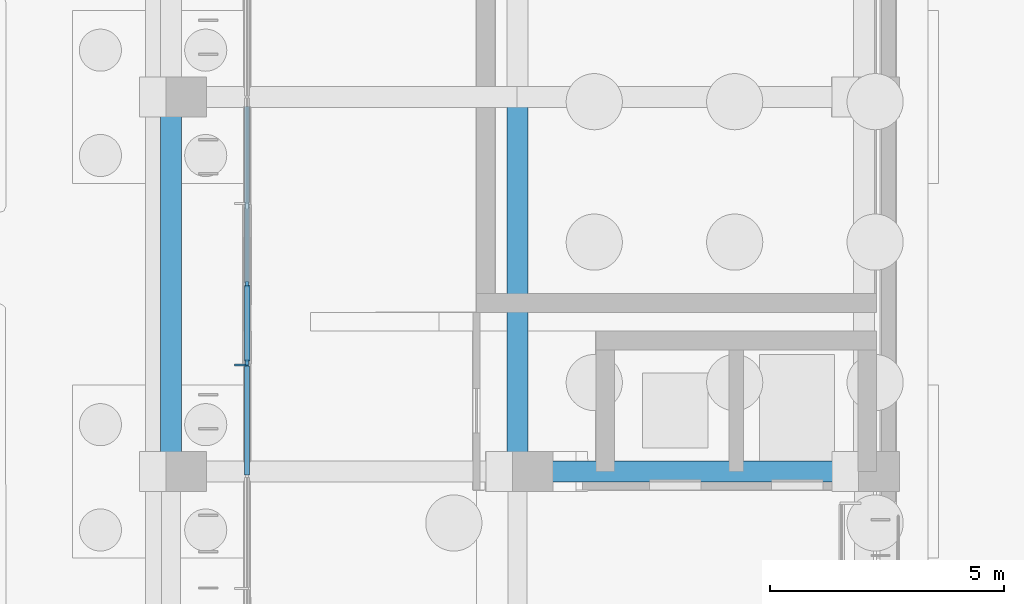
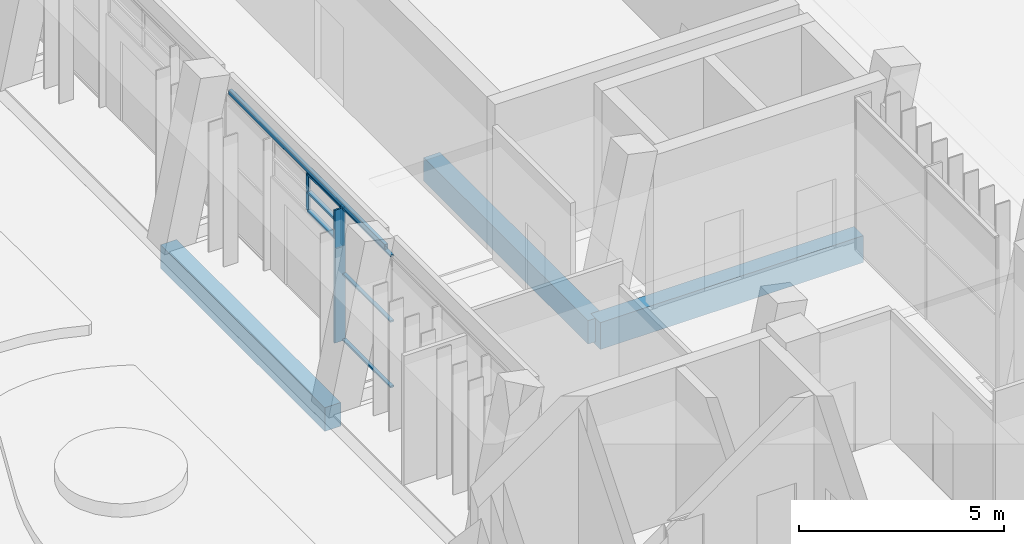
# One storey, part 72 of 144: 9 members, 4 beams, 2 elements without a shape of their own.
"""IFC4 building model written with IfcOpenShell, lengths in metres."""

from ifc_helpers import new_model, si_unit, direction, frame, origin, origin_2d, place, context, subcontext, project, spatial, rectangle, hollow_rectangle, extrude, material, material_profile, profile_set, type_object, element, aggregate, save


model = new_model("IFC4")

# Units and contexts
model_context = context("Model", 3, precision=1e-05, world=origin(), true_north=direction((0.0, 1.0)))
body_context = subcontext(model_context, "Body", "Model", "MODEL_VIEW")
ifc_project = project(units=[si_unit("LENGTHUNIT", "METRE"), si_unit("AREAUNIT", "SQUARE_METRE"), si_unit("VOLUMEUNIT", "CUBIC_METRE"), si_unit("PLANEANGLEUNIT", "RADIAN"), si_unit("MASSUNIT", "GRAM", prefix="KILO")], contexts=[model_context])

# Site, building, storey
site_placement = place(None, origin())
site = spatial("IfcSite", under=ifc_project, at=site_placement, CompositionType="ELEMENT")
building_placement = place(site_placement, origin())
building = spatial("IfcBuilding", under=site, at=building_placement, Name="Lantern Court Media Centre", CompositionType="ELEMENT")
storey_placement = place(building_placement, origin())
storey = spatial("IfcBuildingStorey", under=building, at=storey_placement, Name="L00", CompositionType="ELEMENT", Elevation=0.0)

# Curtain wall, member
ifc_material_1 = material(Name="Curtain wall bay 2400")
curtain_wall_type_1 = type_object("IfcCurtainWallType", Name="Curtain wall bay 2400", PredefinedType="NOTDEFINED", material=ifc_material_1)
curtain_wall_1_placement = place(storey_placement, origin())
curtain_wall_1 = element("IfcCurtainWall", 1, at=curtain_wall_1_placement, inside=storey, type_object=curtain_wall_type_1, Name="Curtain wall E inner L00", PredefinedType="NOTDEFINED")
ifc_material_2 = material(Name="Anodised aluminium", Category="aluminium")
ifc_material_profile_1 = material_profile(ifc_material_2, rectangle(XDim=0.300048828125, YDim=0.050048828125, at=origin_2d()), Name="AL 50x300")
ifc_profile_set_1 = profile_set([ifc_material_profile_1], Name="Anodised aluminium")
member_type_1 = type_object("IfcMemberType", Name="Curtain wall mullion 50x300", PredefinedType="MULLION", material=ifc_profile_set_1)
member_1_placement = place(storey_placement, frame((82.030029296875, 74.27490234375, 0.0), z_axis=(0.0, 0.0, 1.0), x_axis=(-1.0, 0.0, 0.0)))
member_1 = element("IfcMember", 2, at=member_1_placement, type_object=member_type_1, Name="CW2 mullion 5", PredefinedType="MULLION", context=body_context, shape_type="SweptSolid", body=[
    extrude(rectangle(XDim=0.300048828125, YDim=0.050048828125, at=origin_2d()), origin(), (0.0, 0.0, 1.0), 3.949951171875),
])

# Curtain wall, members
ifc_material_3 = material(Name="Curtain wall bay 1700")
curtain_wall_type_2 = type_object("IfcCurtainWallType", Name="Curtain wall bay 1700", PredefinedType="NOTDEFINED", material=ifc_material_3)
curtain_wall_2_placement = place(storey_placement, origin())
curtain_wall_2 = element("IfcCurtainWall", 3, at=curtain_wall_2_placement, inside=storey, type_object=curtain_wall_type_2, Name="Curtain wall E inner L00", PredefinedType="NOTDEFINED")
ifc_material_profile_2 = material_profile(ifc_material_2, rectangle(XDim=0.06005859375, YDim=0.1201171875, at=origin_2d()), Name="AL 60x120")
ifc_profile_set_2 = profile_set([ifc_material_profile_2], Name="Anodised aluminium")
member_type_2 = type_object("IfcMemberType", Name="Curtain wall mullion 60x120", PredefinedType="MULLION", material=ifc_profile_set_2)
member_2_placement = place(storey_placement, frame((82.14990234375, 74.330078125, 2.800048828125), z_axis=(0.0, 0.0, 1.0), x_axis=(-1.0, 0.0, 0.0)))
member_2 = element("IfcMember", 4, at=member_2_placement, type_object=member_type_2, Name="CW4 mullion 1", PredefinedType="MULLION", context=body_context, shape_type="SweptSolid", body=[
    extrude(rectangle(XDim=0.06005859375, YDim=0.1201171875, at=origin_2d()), origin(), (0.0, 0.0, 1.0), 1.14990234375),
])
member_3_placement = place(storey_placement, frame((82.14990234375, 76.0, 2.800048828125), z_axis=(0.0, 0.0, 1.0), x_axis=(-1.0, 0.0, 0.0)))
member_3 = element("IfcMember", 5, at=member_3_placement, type_object=member_type_2, Name="CW4 mullion 2", PredefinedType="MULLION", context=body_context, shape_type="SweptSolid", body=[
    extrude(rectangle(XDim=0.06005859375, YDim=0.1201171875, at=origin_2d()), origin(), (0.0, 0.0, 1.0), 1.14990234375),
])

# Member
ifc_material_profile_3 = material_profile(ifc_material_2, rectangle(XDim=0.10009765625, YDim=0.050048828125, at=origin_2d()), Name="AL 50x100")
ifc_profile_set_3 = profile_set([ifc_material_profile_3], Name="Anodised aluminium")
member_type_3 = type_object("IfcMemberType", Name="Curtain wall transom 100x50", PredefinedType="USERDEFINED", material=ifc_profile_set_3)
member_4_placement = place(storey_placement, frame((82.14990234375, 71.925048828125, 0.02490234375), z_axis=(0.0, 1.0, 0.0), x_axis=(-1.0, 0.0, 0.0)))
member_4 = element("IfcMember", 6, at=member_4_placement, type_object=member_type_3, Name="CW2 transom 4.1", ObjectType="TRANSOM", PredefinedType="USERDEFINED", context=body_context, shape_type="SweptSolid", body=[
    extrude(rectangle(XDim=0.10009765625, YDim=0.050048828125, at=origin_2d()), origin(), (0.0, 0.0, 1.0), 2.324951171875),
])

member_5_placement = place(storey_placement, frame((82.14990234375, 71.925048828125, 1.97509765625), z_axis=(0.0, 1.0, 0.0), x_axis=(-1.0, 0.0, 0.0)))
member_5 = element("IfcMember", 7, at=member_5_placement, type_object=member_type_3, Name="CW2 transom 4.2", ObjectType="TRANSOM", PredefinedType="USERDEFINED", context=body_context, shape_type="SweptSolid", body=[
    extrude(rectangle(XDim=0.10009765625, YDim=0.050048828125, at=origin_2d()), origin(), (0.0, 0.0, 1.0), 2.324951171875),
])

member_6_placement = place(storey_placement, frame((82.14990234375, 71.925048828125, 3.925048828125), z_axis=(0.0, 1.0, 0.0), x_axis=(-1.0, 0.0, 0.0)))
member_6 = element("IfcMember", 8, at=member_6_placement, type_object=member_type_3, Name="CW2 transom 4.3", ObjectType="TRANSOM", PredefinedType="USERDEFINED", context=body_context, shape_type="SweptSolid", body=[
    extrude(rectangle(XDim=0.10009765625, YDim=0.050048828125, at=origin_2d()), origin(), (0.0, 0.0, 1.0), 2.324951171875),
])

aggregate(curtain_wall_1, [member_1, member_4, member_5, member_6])

ifc_material_profile_4 = material_profile(ifc_material_2, rectangle(XDim=0.1201171875, YDim=0.06005859375, at=origin_2d()), Name="AL 60x120")
ifc_profile_set_4 = profile_set([ifc_material_profile_4], Name="Anodised aluminium")
member_type_4 = type_object("IfcMemberType", Name="Curtain wall transom 60x120", PredefinedType="USERDEFINED", material=ifc_profile_set_4)
member_7_placement = place(storey_placement, frame((82.14990234375, 74.360107421875, 2.830078125), z_axis=(0.0, 1.0, 0.0), x_axis=(-1.0, 0.0, 0.0)))
member_7 = element("IfcMember", 9, at=member_7_placement, type_object=member_type_4, Name="CW4 transom 1.1", ObjectType="TRANSOM", PredefinedType="USERDEFINED", context=body_context, shape_type="SweptSolid", body=[
    extrude(rectangle(XDim=0.1201171875, YDim=0.06005859375, at=origin_2d()), origin(), (0.0, 0.0, 1.0), 1.60986328125),
])

member_8_placement = place(storey_placement, frame((82.14990234375, 74.360107421875, 3.375), z_axis=(0.0, 1.0, 0.0), x_axis=(-1.0, 0.0, 0.0)))
member_8 = element("IfcMember", 10, at=member_8_placement, type_object=member_type_4, Name="CW4 transom 1.2", ObjectType="TRANSOM", PredefinedType="USERDEFINED", context=body_context, shape_type="SweptSolid", body=[
    extrude(rectangle(XDim=0.1201171875, YDim=0.06005859375, at=origin_2d()), origin(), (0.0, 0.0, 1.0), 1.60986328125),
])

member_9_placement = place(storey_placement, frame((82.14990234375, 74.360107421875, 3.919921875), z_axis=(0.0, 1.0, 0.0), x_axis=(-1.0, 0.0, 0.0)))
member_9 = element("IfcMember", 11, at=member_9_placement, type_object=member_type_4, Name="CW4 transom 1.3", ObjectType="TRANSOM", PredefinedType="USERDEFINED", context=body_context, shape_type="SweptSolid", body=[
    extrude(rectangle(XDim=0.1201171875, YDim=0.06005859375, at=origin_2d()), origin(), (0.0, 0.0, 1.0), 1.60986328125),
])

aggregate(curtain_wall_2, [member_2, member_3, member_7, member_8, member_9])

# Beams
ifc_material_4 = material(Name="Steel S355J2 (EN 10025-2)", Category="steel")
ifc_material_profile_5 = material_profile(ifc_material_4, hollow_rectangle(XDim=0.10009765625, YDim=0.14990234375, WallThickness=0.00634765625, InnerFilletRadius=0.00634765625, OuterFilletRadius=0.009521484375, at=origin_2d()), Name="Facade head lintel RHS 150x100x6.3")
ifc_profile_set_5 = profile_set([ifc_material_profile_5], Name="Steel S355J2 (EN 10025-2)")
beam_type_1 = type_object("IfcBeamType", Name="Facade head lintel RHS 150x100x6.3", PredefinedType="BEAM", material=ifc_profile_set_5)
beam_1_placement = place(storey_placement, frame((82.14990234375, 72.199951171875, 4.02490234375), z_axis=(0.0, 1.0, 0.0), x_axis=(-1.0, 0.0, 0.0)))
element("IfcBeam", 12, at=beam_1_placement, inside=storey, type_object=beam_type_1, Name="Facade head lintel E L00", PredefinedType="BEAM", context=body_context, shape_type="SweptSolid", body=[
    extrude(hollow_rectangle(XDim=0.10009765625, YDim=0.14990234375, WallThickness=0.00634765625, InnerFilletRadius=0.00634765625, OuterFilletRadius=0.009521484375, at=origin_2d()), origin(), (0.0, 0.0, 1.0), 7.60009765625),
])
ifc_material_5 = material(Name="Concrete C35", Category="concrete")
ifc_material_profile_6 = material_profile(ifc_material_5, rectangle(XDim=0.449951171875, YDim=0.699951171875, at=origin_2d()), Name="RC 450x700")
ifc_profile_set_6 = profile_set([ifc_material_profile_6], Name="Concrete C35")
beam_type_2 = type_object("IfcBeamType", Name="RC BEAM 450x700", PredefinedType="BEAM", material=ifc_profile_set_6)
for number, where, z_axis, x_axis, name in (
    (13, (80.527099609375, 72.0, -0.35009765625), (0.0, 1.0, 0.0), (-1.0, 0.0, 0.0), "LB-E-L00-0-1"),
    (14, (87.927001953125, 72.0, -0.35009765625), (0.0, 1.0, 0.0), (-1.0, 0.0, 0.0), "LB-E-L00-1-1"),
):
    element("IfcBeam", number, at=place(storey_placement, frame(where, z_axis=z_axis, x_axis=x_axis)), inside=storey, type_object=beam_type_2, Name=name, PredefinedType="BEAM", context=body_context, shape_type="SweptSolid", body=[
        extrude(rectangle(XDim=0.449951171875, YDim=0.699951171875, at=origin_2d()), origin(), (0.0, 0.0, 1.0), 8.0),
    ])
ifc_material_profile_7 = material_profile(ifc_material_5, rectangle(XDim=0.449951171875, YDim=0.800048828125, at=origin_2d()), Name="RC 450x800")
ifc_profile_set_7 = profile_set([ifc_material_profile_7], Name="Concrete C35")
beam_type_3 = type_object("IfcBeamType", Name="RC BEAM 450x800", PredefinedType="BEAM", material=ifc_profile_set_7)
beam_2_placement = place(storey_placement, frame((87.916748046875, 72.0, -0.39990234375), z_axis=(1.0, 0.0, 0.0), x_axis=(0.0, 1.0, 0.0)))
element("IfcBeam", 15, at=beam_2_placement, inside=storey, type_object=beam_type_3, Name="TB-E-L00-1-2", PredefinedType="BEAM", context=body_context, shape_type="SweptSolid", body=[
    extrude(rectangle(XDim=0.449951171875, YDim=0.800048828125, at=origin_2d()), origin(), (0.0, 0.0, 1.0), 7.39990234375),
])

save(model, "model.ifc")
